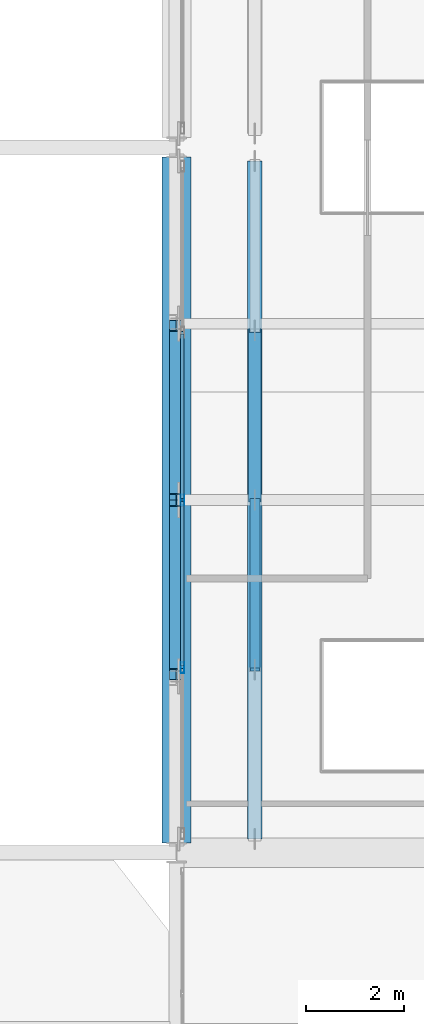
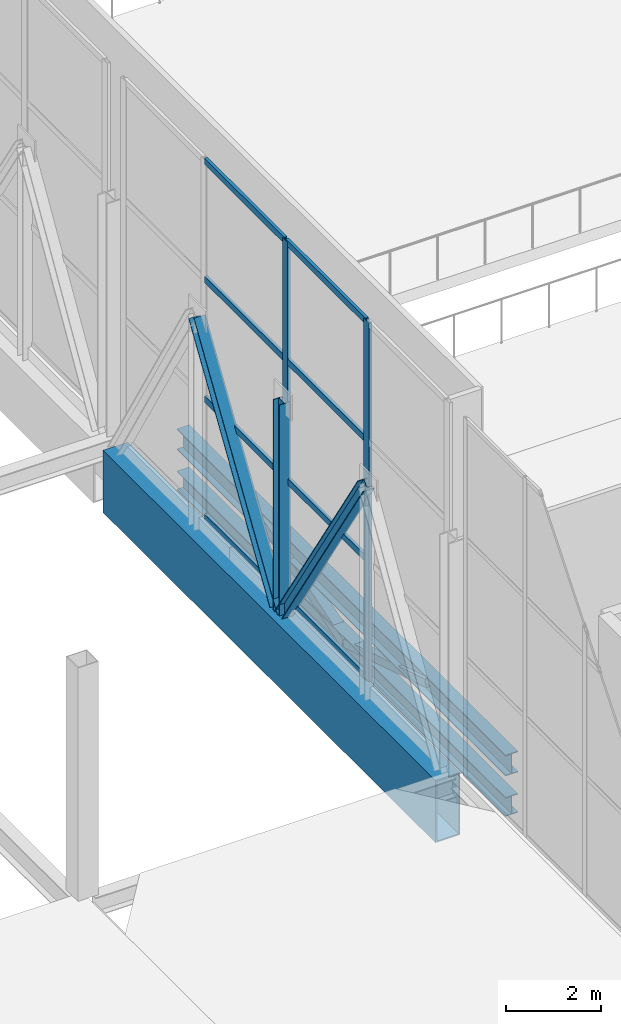
# One storey, part 31 of 191: 15 members, 3 beams, 1 element without a shape of its own.
"""IFC4 building model written with IfcOpenShell, lengths in metres."""

from ifc_helpers import new_model, si_unit, direction, frame, origin, origin_2d, place, context, subcontext, project, spatial, hollow_rectangle, i_section, extrude, material, layer, layer_set, material_profile, profile_set, type_object, element, aggregate, save


model = new_model("IFC4")

# Units and contexts
model_context = context("Model", 3, precision=1e-05, world=origin(), true_north=direction((0.0, 1.0)))
body_context = subcontext(model_context, "Body", "Model", "MODEL_VIEW")
ifc_project = project(units=[si_unit("LENGTHUNIT", "METRE"), si_unit("AREAUNIT", "SQUARE_METRE"), si_unit("VOLUMEUNIT", "CUBIC_METRE"), si_unit("PLANEANGLEUNIT", "RADIAN"), si_unit("MASSUNIT", "GRAM", prefix="KILO")], contexts=[model_context])

# Site, building, storey
site_placement = place(None, origin())
site = spatial("IfcSite", under=ifc_project, at=site_placement, CompositionType="ELEMENT")
building_placement = place(site_placement, origin())
building = spatial("IfcBuilding", under=site, at=building_placement, Name="Tamarisk Ironworks Central Station", CompositionType="ELEMENT")
storey_placement = place(building_placement, frame((0.0, 0.0, 6.60009765625)))
storey = spatial("IfcBuildingStorey", under=building, at=storey_placement, Name="L01", CompositionType="ELEMENT", Elevation=6.60009765625)

# Beams
ifc_material_1 = material(Name="Structural steel S355J2", Category="steel")
ifc_material_profile_1 = material_profile(ifc_material_1, i_section(OverallWidth=0.300048828125, OverallDepth=0.5400390625, WebThickness=0.012451171875, FlangeThickness=0.02392578125, at=origin_2d()), Name="HEA 550")
ifc_profile_set_1 = profile_set([ifc_material_profile_1], Name="Structural steel S355J2")
beam_type_1 = type_object("IfcBeamType", Name="BM-G04", PredefinedType="BEAM", material=ifc_profile_set_1)
beam_1_placement = place(storey_placement, frame((55.60009765625, 21.8798828125, -0.580078125), z_axis=(0.0, 1.0, 0.0), x_axis=(-1.0, 0.0, 0.0)))
element("IfcBeam", 1, at=beam_1_placement, inside=storey, type_object=beam_type_1, Name="Bridge deck transfer stiffening chord 114", PredefinedType="BEAM", context=body_context, shape_type="SweptSolid", body=[
    extrude(i_section(OverallWidth=0.300048828125, OverallDepth=0.5400390625, WebThickness=0.012451171875, FlangeThickness=0.02392578125, at=origin_2d()), origin(), (0.0, 0.0, 1.0), 13.840087890625),
])
ifc_material_profile_2 = material_profile(ifc_material_1, i_section(OverallWidth=0.300048828125, OverallDepth=0.489990234375, WebThickness=0.011962890625, FlangeThickness=0.02294921875, at=origin_2d()), Name="HEA 500")
ifc_profile_set_2 = profile_set([ifc_material_profile_2], Name="Structural steel S355J2")
beam_type_2 = type_object("IfcBeamType", Name="BM-G05", PredefinedType="BEAM", material=ifc_profile_set_2)
beam_2_placement = place(storey_placement, frame((55.60009765625, 21.8798828125, -1.64013671875), z_axis=(0.0, 1.0, 0.0), x_axis=(-1.0, 0.0, 0.0)))
element("IfcBeam", 2, at=beam_2_placement, inside=storey, type_object=beam_type_2, Name="Bridge deck transfer stiffening chord 113", PredefinedType="BEAM", context=body_context, shape_type="SweptSolid", body=[
    extrude(i_section(OverallWidth=0.300048828125, OverallDepth=0.489990234375, WebThickness=0.011962890625, FlangeThickness=0.02294921875, at=origin_2d()), origin(), (0.0, 0.0, 1.0), 13.840087890625),
])
ifc_material_profile_3 = material_profile(ifc_material_1, hollow_rectangle(XDim=0.60009765625, YDim=1.60009765625, WallThickness=0.031982421875, at=origin_2d()), Name="BOX 600x1600x32")
ifc_profile_set_3 = profile_set([ifc_material_profile_3], Name="Structural steel S355J2")
beam_type_3 = type_object("IfcBeamType", Name="BM-TG01", PredefinedType="USERDEFINED", material=ifc_profile_set_3)
beam_3_placement = place(storey_placement, frame((54.0, 21.800537109375, -1.10009765625), z_axis=(0.0, 1.0, 0.0), x_axis=(-1.0, 0.0, 0.0)))
element("IfcBeam", 3, at=beam_3_placement, inside=storey, type_object=beam_type_3, Name="L01 primary girder Y-0208", ObjectType="TRANSFER GIRDER", PredefinedType="USERDEFINED", context=body_context, shape_type="SweptSolid", body=[
    extrude(hollow_rectangle(XDim=0.60009765625, YDim=1.60009765625, WallThickness=0.031982421875, at=origin_2d()), origin(), (0.0, 0.0, 1.0), 13.9990234375),
])

# Curtain wall, members
ifc_material_2 = material(Name="Anodized aluminium alloy 6063-T6", Category="aluminium")
ifc_layer = layer(ifc_material_2, 0.179931640625)
ifc_layer_set = layer_set([ifc_layer], Name="Anodized aluminium alloy 6063-T6")
curtain_wall_type = type_object("IfcCurtainWallType", Name="CW-06", PredefinedType="USERDEFINED", material=ifc_layer_set)
curtain_wall_placement = place(storey_placement, origin())
curtain_wall = element("IfcCurtainWall", 4, at=curtain_wall_placement, inside=storey, type_object=curtain_wall_type, Name="Concourse W track-overlook curtain wall 02", ObjectType="GLAZED CURTAIN WALL", PredefinedType="USERDEFINED")
ifc_material_profile_4 = material_profile(ifc_material_2, hollow_rectangle(XDim=0.074951171875, YDim=0.219970703125, WallThickness=0.00390625, at=origin_2d()), Name="ALUM 220x75")
ifc_profile_set_4 = profile_set([ifc_material_profile_4], Name="Anodized aluminium alloy 6063-T6")
member_type_1 = type_object("IfcMemberType", Name="CWM-01", PredefinedType="MULLION", material=ifc_profile_set_4)
member_1_placement = place(storey_placement, frame((54.1201171875, 25.375, 0.0), z_axis=(0.0, 0.0, 1.0), x_axis=(-1.0, 0.0, 0.0)))
member_1 = element("IfcMember", 5, at=member_1_placement, type_object=member_type_1, Name="CW06 mullion 2", PredefinedType="MULLION", context=body_context, shape_type="SweptSolid", body=[
    extrude(hollow_rectangle(XDim=0.074951171875, YDim=0.219970703125, WallThickness=0.00390625, at=origin_2d()), origin(), (0.0, 0.0, 1.0), 9.219970703125),
])
member_2_placement = place(storey_placement, frame((54.1201171875, 28.800048828125, 0.0), z_axis=(0.0, 0.0, 1.0), x_axis=(-1.0, 0.0, 0.0)))
member_2 = element("IfcMember", 6, at=member_2_placement, type_object=member_type_1, Name="CW06 mullion 3", PredefinedType="MULLION", context=body_context, shape_type="SweptSolid", body=[
    extrude(hollow_rectangle(XDim=0.074951171875, YDim=0.219970703125, WallThickness=0.00390625, at=origin_2d()), origin(), (0.0, 0.0, 1.0), 9.219970703125),
])
ifc_material_profile_5 = material_profile(ifc_material_2, hollow_rectangle(XDim=0.074951171875, YDim=0.159912109375, WallThickness=0.00390625, at=origin_2d()), Name="ALUM 160x75")
ifc_profile_set_5 = profile_set([ifc_material_profile_5], Name="Anodized aluminium alloy 6063-T6")
member_type_2 = type_object("IfcMemberType", Name="CWT-01", PredefinedType="USERDEFINED", material=ifc_profile_set_5)
member_3_placement = place(storey_placement, frame((54.1201171875, 25.408447265625, 0.037353515625), z_axis=(0.0, 1.0, 0.0), x_axis=(-1.0, 0.0, 0.0)))
member_3 = element("IfcMember", 7, at=member_3_placement, type_object=member_type_2, Name="CW06 transom 2.1", ObjectType="TRANSOM", PredefinedType="USERDEFINED", context=body_context, shape_type="SweptSolid", body=[
    extrude(hollow_rectangle(XDim=0.074951171875, YDim=0.159912109375, WallThickness=0.00390625, at=origin_2d()), origin(), (0.0, 0.0, 1.0), 3.358154296875),
])
member_4_placement = place(storey_placement, frame((54.1201171875, 25.408447265625, 3.0732421875), z_axis=(0.0, 1.0, 0.0), x_axis=(-1.0, 0.0, 0.0)))
member_4 = element("IfcMember", 8, at=member_4_placement, type_object=member_type_2, Name="CW06 transom 2.2", ObjectType="TRANSOM", PredefinedType="USERDEFINED", context=body_context, shape_type="SweptSolid", body=[
    extrude(hollow_rectangle(XDim=0.074951171875, YDim=0.159912109375, WallThickness=0.00390625, at=origin_2d()), origin(), (0.0, 0.0, 1.0), 3.358154296875),
])
member_5_placement = place(storey_placement, frame((54.1201171875, 25.408447265625, 6.146484375), z_axis=(0.0, 1.0, 0.0), x_axis=(-1.0, 0.0, 0.0)))
member_5 = element("IfcMember", 9, at=member_5_placement, type_object=member_type_2, Name="CW06 transom 2.3", ObjectType="TRANSOM", PredefinedType="USERDEFINED", context=body_context, shape_type="SweptSolid", body=[
    extrude(hollow_rectangle(XDim=0.074951171875, YDim=0.159912109375, WallThickness=0.00390625, at=origin_2d()), origin(), (0.0, 0.0, 1.0), 3.358154296875),
])
member_6_placement = place(storey_placement, frame((54.1201171875, 25.408447265625, 9.182373046875), z_axis=(0.0, 1.0, 0.0), x_axis=(-1.0, 0.0, 0.0)))
member_6 = element("IfcMember", 10, at=member_6_placement, type_object=member_type_2, Name="CW06 transom 2.4", ObjectType="TRANSOM", PredefinedType="USERDEFINED", context=body_context, shape_type="SweptSolid", body=[
    extrude(hollow_rectangle(XDim=0.074951171875, YDim=0.159912109375, WallThickness=0.00390625, at=origin_2d()), origin(), (0.0, 0.0, 1.0), 3.358154296875),
])
member_7_placement = place(storey_placement, frame((54.1201171875, 28.83349609375, 0.037353515625), z_axis=(0.0, 1.0, 0.0), x_axis=(-1.0, 0.0, 0.0)))
member_7 = element("IfcMember", 11, at=member_7_placement, type_object=member_type_2, Name="CW06 transom 3.1", ObjectType="TRANSOM", PredefinedType="USERDEFINED", context=body_context, shape_type="SweptSolid", body=[
    extrude(hollow_rectangle(XDim=0.074951171875, YDim=0.159912109375, WallThickness=0.00390625, at=origin_2d()), origin(), (0.0, 0.0, 1.0), 3.35791015625),
])
member_8_placement = place(storey_placement, frame((54.1201171875, 28.83349609375, 3.0732421875), z_axis=(0.0, 1.0, 0.0), x_axis=(-1.0, 0.0, 0.0)))
member_8 = element("IfcMember", 12, at=member_8_placement, type_object=member_type_2, Name="CW06 transom 3.2", ObjectType="TRANSOM", PredefinedType="USERDEFINED", context=body_context, shape_type="SweptSolid", body=[
    extrude(hollow_rectangle(XDim=0.074951171875, YDim=0.159912109375, WallThickness=0.00390625, at=origin_2d()), origin(), (0.0, 0.0, 1.0), 3.35791015625),
])
member_9_placement = place(storey_placement, frame((54.1201171875, 28.83349609375, 6.146484375), z_axis=(0.0, 1.0, 0.0), x_axis=(-1.0, 0.0, 0.0)))
member_9 = element("IfcMember", 13, at=member_9_placement, type_object=member_type_2, Name="CW06 transom 3.3", ObjectType="TRANSOM", PredefinedType="USERDEFINED", context=body_context, shape_type="SweptSolid", body=[
    extrude(hollow_rectangle(XDim=0.074951171875, YDim=0.159912109375, WallThickness=0.00390625, at=origin_2d()), origin(), (0.0, 0.0, 1.0), 3.35791015625),
])
member_10_placement = place(storey_placement, frame((54.1201171875, 28.83349609375, 9.182373046875), z_axis=(0.0, 1.0, 0.0), x_axis=(-1.0, 0.0, 0.0)))
member_10 = element("IfcMember", 14, at=member_10_placement, type_object=member_type_2, Name="CW06 transom 3.4", ObjectType="TRANSOM", PredefinedType="USERDEFINED", context=body_context, shape_type="SweptSolid", body=[
    extrude(hollow_rectangle(XDim=0.074951171875, YDim=0.159912109375, WallThickness=0.00390625, at=origin_2d()), origin(), (0.0, 0.0, 1.0), 3.35791015625),
])
aggregate(curtain_wall, [member_1, member_2, member_3, member_4, member_5, member_6, member_7, member_8, member_9, member_10])

# Members
ifc_material_3 = material(Name="Structural steel S355J2H", Category="steel")
ifc_material_profile_6 = material_profile(ifc_material_3, hollow_rectangle(XDim=0.25, YDim=0.25, WallThickness=0.012451171875, at=origin_2d()), Name="SHS 250x250x12.5")
ifc_profile_set_6 = profile_set([ifc_material_profile_6], Name="Structural steel S355J2H")
member_type_3 = type_object("IfcMemberType", Name="MB-BR01", PredefinedType="BRACE", material=ifc_profile_set_6)
member_11_placement = place(storey_placement, frame((55.60009765625, 28.800048828125, -1.64013671875), z_axis=(0.0, 0.956131332595, 0.292938346467), x_axis=(-1.0, 0.0, 0.0)))
element("IfcMember", 15, at=member_11_placement, inside=storey, type_object=member_type_3, Name="Bridge deck stiffening web brace 117", PredefinedType="BRACE", context=body_context, shape_type="SweptSolid", body=[
    extrude(hollow_rectangle(XDim=0.25, YDim=0.25, WallThickness=0.012451171875, at=origin_2d()), origin(), (0.0, 0.0, 1.0), 3.61865234375),
])
ifc_material_profile_7 = material_profile(ifc_material_3, hollow_rectangle(XDim=0.199951171875, YDim=0.199951171875, WallThickness=0.010009765625, at=origin_2d()), Name="SHS 200x200x10")
ifc_profile_set_7 = profile_set([ifc_material_profile_7], Name="Structural steel S355J2H")
member_type_4 = type_object("IfcMemberType", Name="MB-BR02", PredefinedType="BRACE", material=ifc_profile_set_7)
member_12_placement = place(storey_placement, frame((55.60009765625, 25.340087890625, -0.580078125), z_axis=(0.0, 0.956131332595, -0.292938346467), x_axis=(-1.0, 0.0, 0.0)))
element("IfcMember", 16, at=member_12_placement, inside=storey, type_object=member_type_4, Name="Bridge deck stiffening web brace 116", PredefinedType="BRACE", context=body_context, shape_type="SweptSolid", body=[
    extrude(hollow_rectangle(XDim=0.199951171875, YDim=0.199951171875, WallThickness=0.010009765625, at=origin_2d()), origin(), (0.0, 0.0, 1.0), 3.61865234375),
])
ifc_material_profile_8 = material_profile(ifc_material_1, i_section(OverallWidth=0.280029296875, OverallDepth=0.280029296875, WebThickness=0.010498046875, FlangeThickness=0.01806640625, at=origin_2d()), Name="HEB 280")
ifc_profile_set_8 = profile_set([ifc_material_profile_8], Name="Structural steel S355J2")
member_type_5 = type_object("IfcMemberType", Name="MB-TTD02", PredefinedType="BRACE", material=ifc_profile_set_8)
for number, where, z_axis, x_axis, name in (
    (17, (54.0, 25.239990234375, 5.119873046875), (0.0, 0.539055818311, -0.842270042649), (-1.0, 0.0, 0.0), "Transfer truss diagonal 002"),
    (18, (54.0, 28.840087890625, -0.380126953125), (0.0, 0.539055818311, 0.842270042649), (-1.0, 0.0, 0.0), "Transfer truss diagonal 004"),
):
    element("IfcMember", number, at=place(storey_placement, frame(where, z_axis=z_axis, x_axis=x_axis)), inside=storey, type_object=member_type_5, Name=name, PredefinedType="BRACE", context=body_context, shape_type="SweptSolid", body=[
        extrude(i_section(OverallWidth=0.280029296875, OverallDepth=0.280029296875, WebThickness=0.010498046875, FlangeThickness=0.01806640625, at=origin_2d()), origin(), (0.0, 0.0, 1.0), 6.530029296875),
    ])
ifc_material_profile_9 = material_profile(ifc_material_1, i_section(OverallWidth=0.260009765625, OverallDepth=0.260009765625, WebThickness=0.010009765625, FlangeThickness=0.017578125, at=origin_2d()), Name="HEB 260")
ifc_profile_set_9 = profile_set([ifc_material_profile_9], Name="Structural steel S355J2")
member_type_6 = type_object("IfcMemberType", Name="MB-TTP01", PredefinedType="POST", material=ifc_profile_set_9)
member_13_placement = place(storey_placement, frame((54.0, 28.800048828125, -0.340087890625), z_axis=(0.0, 0.0, 1.0), x_axis=(1.0, 0.0, 0.0)))
element("IfcMember", 19, at=member_13_placement, inside=storey, type_object=member_type_6, Name="Transfer truss vertical post 005", PredefinedType="POST", context=body_context, shape_type="SweptSolid", body=[
    extrude(i_section(OverallWidth=0.260009765625, OverallDepth=0.260009765625, WebThickness=0.010009765625, FlangeThickness=0.017578125, at=origin_2d()), origin(), (0.0, 0.0, 1.0), 5.4599609375),
])

save(model, "model.ifc")
